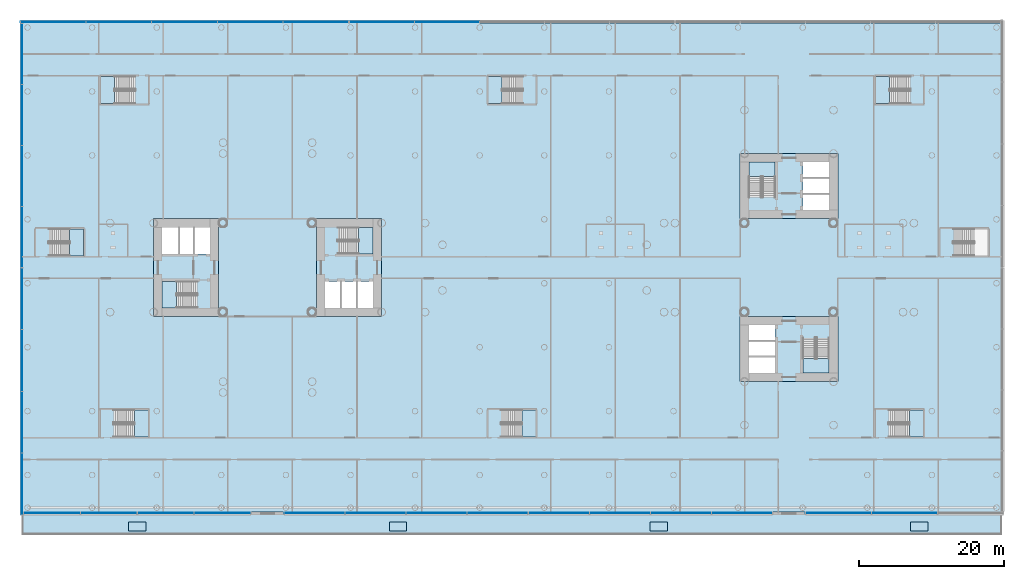
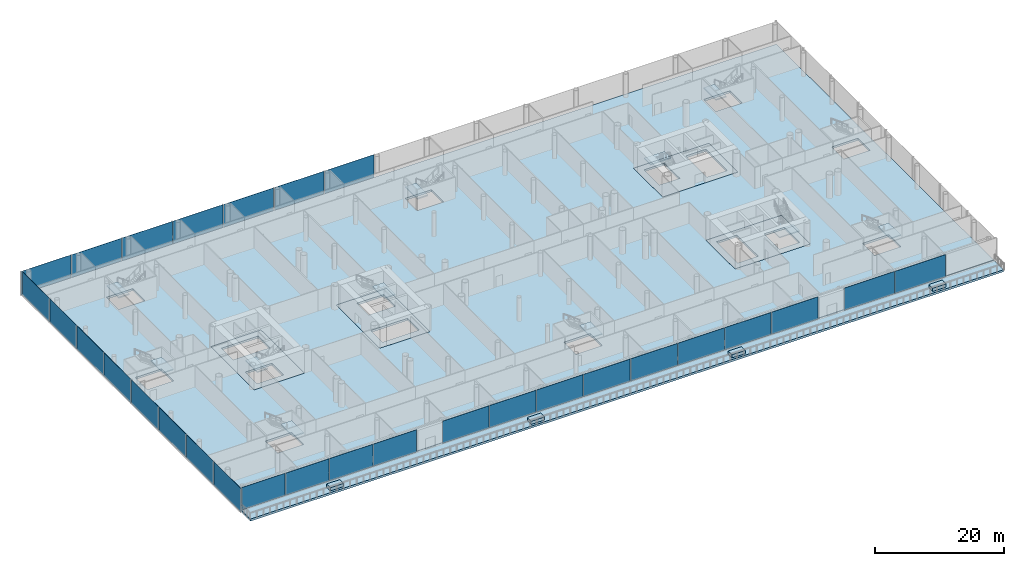
# One storey, part 15 of 51: 29 plates, 21 slabs, 19 elements without a shape of their own.
"""IFC4 building model written with IfcOpenShell, lengths in metres."""

import ifcopenshell
import ifcopenshell.guid

model = None  # the IFC model being written
_history = None  # IfcOwnerHistory: only IFC2X3 demands one
_inside = {}  # id of a spatial element -> (the spatial element, [elements in it])
_under = {}  # id of a project, library or spatial element -> (it, [spatial elements below it])
_declared = {}  # id of a project -> (the project, [libraries it declares])
_typed = {}  # id of a type object -> (the type object, [elements of that type])
_made_of = {}  # id of a material, layer set ... -> (it, [elements and type objects made of it])


def new_model(schema):
    """Start an empty IFC model of exactly this schema.

    Asked for "IFC4X3", IfcOpenShell would pick the latest addendum, in which some entities
    have other attributes; the version numbers below select the first issue.
    IFC2X3 requires an IfcOwnerHistory on every rooted entity: one is made here for all.
    """
    global model, _history
    if schema == "IFC4X3":
        model = ifcopenshell.file(schema_version=(4, 3, 0, 0))
    else:
        model = ifcopenshell.file(schema=schema)
    _inside.clear()
    _under.clear()
    _declared.clear()
    _typed.clear()
    _made_of.clear()
    _history = None
    if model.schema == "IFC2X3":
        org = make("IfcOrganization", Name="unknown")
        user = make(
            "IfcPersonAndOrganization",
            ThePerson=make("IfcPerson", FamilyName="unknown"),
            TheOrganization=org,
        )
        app = make(
            "IfcApplication",
            ApplicationDeveloper=org,
            Version="unknown",
            ApplicationFullName="unknown",
            ApplicationIdentifier="unknown",
        )
        _history = make(
            "IfcOwnerHistory",
            OwningUser=user,
            OwningApplication=app,
            ChangeAction="ADDED",
            CreationDate=0,
        )
    return model


def make(cls, **values):
    """One entity of the class cls with the attributes given. An attribute that is None is left unset."""
    return model.create_entity(
        cls, **{name: value for name, value in values.items() if value is not None}
    )


def rooted(cls, **values):
    """An entity with a GlobalId (a new one), such as an element, a storey or a relation."""
    return make(cls, GlobalId=ifcopenshell.guid.new(), OwnerHistory=_history, **values)


def si_unit(unit_type, name, prefix=None):
    """IfcSIUnit, for example si_unit("LENGTHUNIT", "METRE", prefix="MILLI")."""
    return make("IfcSIUnit", UnitType=unit_type, Prefix=prefix, Name=name)


def assignment(units):
    """IfcUnitAssignment: the units of a project."""
    return None if units is None else make("IfcUnitAssignment", Units=units)


def point(xyz):
    """IfcCartesianPoint."""
    return None if xyz is None else make("IfcCartesianPoint", Coordinates=xyz)


def direction(xyz):
    """IfcDirection."""
    return None if xyz is None else make("IfcDirection", DirectionRatios=xyz)


def frame(location, z_axis=None, x_axis=None):
    """IfcAxis2Placement3D, a coordinate frame: its origin and axes. An axis left out is left unset."""
    return make(
        "IfcAxis2Placement3D",
        Location=point(location),
        Axis=direction(z_axis),
        RefDirection=direction(x_axis),
    )


def frame_2d(location, x_axis=None):
    """IfcAxis2Placement2D, a coordinate frame in the plane: its origin and x axis."""
    return make(
        "IfcAxis2Placement2D", Location=point(location), RefDirection=direction(x_axis)
    )


def origin():
    """The frame at (0, 0, 0) with its axes left unset."""
    return frame((0.0, 0.0, 0.0))


def origin_2d():
    """The frame at (0, 0) in the plane with its x axis left unset."""
    return frame_2d((0.0, 0.0))


def place(relative_to, where):
    """IfcLocalPlacement: puts the frame where relative to a parent placement (None: the world)."""
    return make(
        "IfcLocalPlacement", PlacementRelTo=relative_to, RelativePlacement=where
    )


def context(
    kind, dimensions, precision=None, world=None, true_north=None, identifier=None
):
    """IfcGeometricRepresentationContext, for example the 3D "Model" context."""
    return make(
        "IfcGeometricRepresentationContext",
        ContextIdentifier=identifier,
        ContextType=kind,
        CoordinateSpaceDimension=dimensions,
        Precision=precision,
        WorldCoordinateSystem=world,
        TrueNorth=true_north,
    )


def subcontext(parent, identifier, kind, view, scale=None):
    """IfcGeometricRepresentationSubContext, for example "Body" below "Model"."""
    return make(
        "IfcGeometricRepresentationSubContext",
        ContextIdentifier=identifier,
        ContextType=kind,
        ParentContext=parent,
        TargetScale=scale,
        TargetView=view,
    )


def project(units=None, contexts=None):
    """IfcProject with its units and contexts."""
    return rooted(
        "IfcProject",
        Name="project",
        RepresentationContexts=contexts,
        UnitsInContext=assignment(units),
    )


def spatial(cls, under=None, at=None, **own):
    """A site, building, storey or space (cls), placed at a placement, below another one or the project."""
    s = rooted(cls, ObjectPlacement=at, **own)
    if under is not None:
        _under.setdefault(under.id(), (under, []))[1].append(s)
    return s


def polyline(points):
    """IfcPolyline through the points."""
    return make("IfcPolyline", Points=[point(p) for p in points])


def profile(cls, at=None, kind="AREA", **sizes):
    """A parametric profile (cls). Its sizes go by their IFC names, for example OverallWidth=200.0."""
    return make(cls, ProfileType=kind, Position=at, **sizes)


def rectangle(**sizes):
    """IfcRectangleProfileDef."""
    return profile("IfcRectangleProfileDef", **sizes)


def outline(outer, holes=None, kind="AREA"):
    """IfcArbitraryClosedProfileDef: a profile drawn as a closed curve; with holes, ...WithVoids."""
    if holes is None:
        return make("IfcArbitraryClosedProfileDef", ProfileType=kind, OuterCurve=outer)
    return make(
        "IfcArbitraryProfileDefWithVoids",
        ProfileType=kind,
        OuterCurve=outer,
        InnerCurves=holes,
    )


def extrude(swept, where, along, depth):
    """IfcExtrudedAreaSolid: the profile swept, set in the frame where, extruded along a direction by depth."""
    return make(
        "IfcExtrudedAreaSolid",
        SweptArea=swept,
        Position=where,
        ExtrudedDirection=direction(along),
        Depth=depth,
    )


def shape(context_of_items, identifier, shape_type, items):
    """IfcShapeRepresentation: the items that make up one representation, for example the "Body"."""
    return make(
        "IfcShapeRepresentation",
        ContextOfItems=context_of_items,
        RepresentationIdentifier=identifier,
        RepresentationType=shape_type,
        Items=items,
    )


def material(Name=None, Category=None):
    """IfcMaterial."""
    return make("IfcMaterial", Name=Name, Category=Category)


def layer(
    of_material, thickness, ventilated=None, Name=None, Category=None, Priority=None
):
    """IfcMaterialLayer: one layer of a wall or slab, of a material (None: an air gap)."""
    return make(
        "IfcMaterialLayer",
        Material=of_material,
        LayerThickness=thickness,
        IsVentilated=ventilated,
        Name=Name,
        Category=Category,
        Priority=Priority,
    )


def layer_set(layers, Name=None):
    """IfcMaterialLayerSet."""
    return make("IfcMaterialLayerSet", MaterialLayers=layers, LayerSetName=Name)


def made_of(thing, what):
    """Note that an element or type object is made of a material, layer set ...; save() writes the relation."""
    if what is not None:
        _made_of.setdefault(what.id(), (what, []))[1].append(thing)
    return thing


def type_object(cls, material=None, **own):
    """A type object (cls), such as IfcWallType, which elements share."""
    return made_of(rooted(cls, **own), material)


def element(
    cls,
    number,
    at=None,
    inside=None,
    cuts=None,
    type_object=None,
    material=None,
    context=None,
    identifier="Body",
    shape_type=None,
    held_by="IfcProductDefinitionShape",
    body=None,
    shapes=None,
    **own,
):
    """One element of the class cls, such as IfcWall. Its Tag is "e" and its number.

    at: its placement. inside: the storey or other place that contains it. cuts: it is an
    opening in that element (IfcRelVoidsElement). A single representation is given by context,
    identifier, shape_type and body (its items); several are given by shapes. held_by: the class
    of the entity that holds the representations. save() writes the other relations.
    """
    e = rooted(cls, Tag="e%d" % number, ObjectPlacement=at, **own)
    if body is not None:
        shapes = [shape(context, identifier, shape_type, body)]
    if shapes is not None:
        e.Representation = make(held_by, Representations=shapes)
    if inside is not None:
        _inside.setdefault(inside.id(), (inside, []))[1].append(e)
    if cuts is not None:
        rooted(
            "IfcRelVoidsElement", RelatingBuildingElement=cuts, RelatedOpeningElement=e
        )
    if type_object is not None:
        _typed.setdefault(type_object.id(), (type_object, []))[1].append(e)
    return made_of(e, material)


def aggregate(whole, parts):
    """IfcRelAggregates: a whole, such as a stair, and the parts it consists of."""
    return rooted("IfcRelAggregates", RelatingObject=whole, RelatedObjects=parts)


def save(model, path):
    """Write the relations noted so far, then the file.

    IfcRelAggregates (storeys below a building ...), IfcRelContainedInSpatialStructure (elements
    in a storey), IfcRelDefinesByType, IfcRelAssociatesMaterial and IfcRelDeclares: one each for
    every whole, place, type object, material and project.
    """
    for whole, parts in _under.values():
        aggregate(whole, parts)
    for where, things in _inside.values():
        rooted(
            "IfcRelContainedInSpatialStructure",
            RelatedElements=things,
            RelatingStructure=where,
        )
    for kind, things in _typed.values():
        rooted("IfcRelDefinesByType", RelatedObjects=things, RelatingType=kind)
    for what, things in _made_of.values():
        rooted("IfcRelAssociatesMaterial", RelatedObjects=things, RelatingMaterial=what)
    for by, libraries in _declared.values():
        rooted("IfcRelDeclares", RelatingContext=by, RelatedDefinitions=libraries)
    model.write(path)


model = new_model("IFC4")

# Units and contexts
model_context = context("Model", 3, precision=1e-05, world=origin(), true_north=direction((0.0, 1.0)))
body_context = subcontext(model_context, "Body", "Model", "MODEL_VIEW")
ifc_project = project(units=[si_unit("LENGTHUNIT", "METRE"), si_unit("AREAUNIT", "SQUARE_METRE"), si_unit("VOLUMEUNIT", "CUBIC_METRE"), si_unit("PLANEANGLEUNIT", "RADIAN"), si_unit("MASSUNIT", "GRAM", prefix="KILO")], contexts=[model_context])

# Site, building, storey
site_placement = place(None, origin())
site = spatial("IfcSite", under=ifc_project, at=site_placement, CompositionType="ELEMENT")
building_placement = place(site_placement, origin())
building = spatial("IfcBuilding", under=site, at=building_placement, Name="Ipe Terrace Towers", CompositionType="ELEMENT")
storey_placement = place(building_placement, frame((0.0, 0.0, 15.5)))
storey = spatial("IfcBuildingStorey", under=building, at=storey_placement, Name="L03", CompositionType="ELEMENT", Elevation=15.5)

# Slabs
ifc_material_1 = material(Name="Concrete C30/37", Category="concrete")
ifc_layer_1 = layer(ifc_material_1, 0.39990234375)
ifc_layer_set_1 = layer_set([ifc_layer_1], Name="CORE FLOOR SLAB 400 C30-37")
slab_type_1 = type_object("IfcSlabType", Name="CORE FLOOR SLAB 400 C30-37", PredefinedType="FLOOR", material=ifc_layer_set_1)
slab_1_placement = place(storey_placement, frame((0.0, 0.0, -0.39990234375)))
element("IfcSlab", 1, at=slab_1_placement, inside=storey, type_object=slab_type_1, Name="Core floor T1-C1", PredefinedType="FLOOR", context=body_context, shape_type="SweptSolid", body=[
    extrude(outline(polyline([(-29.25, -6.75), (-29.25, 6.75), (-20.25, 6.75), (-20.25, -6.75), (-29.25, -6.75)]), holes=[polyline([(-28.050048828125, -5.550048828125), (-21.449951171875, -5.550048828125), (-21.449951171875, -1.89990234375), (-28.050048828125, -1.89990234375), (-28.050048828125, -5.550048828125)]), polyline([(-26.199951171875, 5.550048828125), (-26.199951171875, 1.89990234375), (-21.449951171875, 1.89990234375), (-21.449951171875, 5.550048828125), (-26.199951171875, 5.550048828125)])]), origin(), (0.0, 0.0, 1.0), 0.39990234375),
])
slab_2_placement = place(storey_placement, frame((0.0, 0.0, -0.39990234375)))
element("IfcSlab", 2, at=slab_2_placement, inside=storey, type_object=slab_type_1, Name="Core floor T1-C2", PredefinedType="FLOOR", context=body_context, shape_type="SweptSolid", body=[
    extrude(outline(polyline([(-51.75, -6.75), (-51.75, 6.75), (-42.75, 6.75), (-42.75, -6.75), (-51.75, -6.75)]), holes=[polyline([(-45.800048828125, -5.550048828125), (-45.800048828125, -1.89990234375), (-50.550048828125, -1.89990234375), (-50.550048828125, -5.550048828125), (-45.800048828125, -5.550048828125)]), polyline([(-50.550048828125, 1.89990234375), (-43.949951171875, 1.89990234375), (-43.949951171875, 5.550048828125), (-50.550048828125, 5.550048828125), (-50.550048828125, 1.89990234375)])]), origin(), (0.0, 0.0, 1.0), 0.39990234375),
])
slab_3_placement = place(storey_placement, frame((0.0, 0.0, -0.39990234375)))
element("IfcSlab", 3, at=slab_3_placement, inside=storey, type_object=slab_type_1, Name="Core floor T2-C1", PredefinedType="FLOOR", context=body_context, shape_type="SweptSolid", body=[
    extrude(outline(polyline([(29.25, 6.75), (29.25, 15.75), (42.75, 15.75), (42.75, 6.75), (29.25, 6.75)]), holes=[polyline([(41.550048828125, 7.949951171875), (41.550048828125, 14.550048828125), (37.89990234375, 14.550048828125), (37.89990234375, 7.949951171875), (41.550048828125, 7.949951171875)]), polyline([(30.449951171875, 9.800048828125), (34.10009765625, 9.800048828125), (34.10009765625, 14.550048828125), (30.449951171875, 14.550048828125), (30.449951171875, 9.800048828125)])]), origin(), (0.0, 0.0, 1.0), 0.39990234375),
])
slab_4_placement = place(storey_placement, frame((0.0, 0.0, -0.39990234375)))
element("IfcSlab", 4, at=slab_4_placement, inside=storey, type_object=slab_type_1, Name="Core floor T2-C2", PredefinedType="FLOOR", context=body_context, shape_type="SweptSolid", body=[
    extrude(outline(polyline([(29.25, -15.75), (29.25, -6.75), (42.75, -6.75), (42.75, -15.75), (29.25, -15.75)]), holes=[polyline([(34.10009765625, -14.550048828125), (34.10009765625, -7.949951171875), (30.449951171875, -7.949951171875), (30.449951171875, -14.550048828125), (34.10009765625, -14.550048828125)]), polyline([(41.550048828125, -9.800048828125), (37.89990234375, -9.800048828125), (37.89990234375, -14.550048828125), (41.550048828125, -14.550048828125), (41.550048828125, -9.800048828125)])]), origin(), (0.0, 0.0, 1.0), 0.39990234375),
])

# Stair, slab
ifc_material_2 = material(Name="Concrete C30/37", Category="concrete")
stair_type = type_object("IfcStairType", Name="Protected exit stair", PredefinedType="HALF_TURN_STAIR", material=ifc_material_2)
stair_1_placement = place(storey_placement, origin())
stair_1 = element("IfcStair", 5, at=stair_1_placement, inside=storey, type_object=stair_type, Name="L03 Exit stair T1-C1", PredefinedType="HALF_TURN_STAIR")
ifc_material_3 = material(Name="Concrete C30/37", Category="concrete")
ifc_layer_2 = layer(ifc_material_3, 0.199951171875)
ifc_layer_set_2 = layer_set([ifc_layer_2], Name="Exit stair landing 200")
slab_type_2 = type_object("IfcSlabType", Name="Exit stair landing 200", PredefinedType="LANDING", material=ifc_layer_set_2)
slab_5_placement = place(storey_placement, frame((0.0, 0.0, 2.050048828125)))
slab_5 = element("IfcSlab", 6, at=slab_5_placement, type_object=slab_type_2, Name="T1-ST1 landing 1", PredefinedType="LANDING", context=body_context, shape_type="SweptSolid", body=[
    extrude(outline(polyline([(-23.43994140625, 1.89990234375), (-21.449951171875, 1.89990234375), (-21.449951171875, 5.550048828125), (-23.43994140625, 5.550048828125), (-23.43994140625, 1.89990234375)])), origin(), (0.0, 0.0, 1.0), 0.199951171875),
])
aggregate(stair_1, [slab_5])

stair_2_placement = place(storey_placement, origin())
stair_2 = element("IfcStair", 7, at=stair_2_placement, inside=storey, type_object=stair_type, Name="L03 Exit stair T1-C2", PredefinedType="HALF_TURN_STAIR")
slab_6_placement = place(storey_placement, frame((0.0, 0.0, 2.050048828125)))
slab_6 = element("IfcSlab", 8, at=slab_6_placement, type_object=slab_type_2, Name="T1-ST2 landing 1", PredefinedType="LANDING", context=body_context, shape_type="SweptSolid", body=[
    extrude(outline(polyline([(-48.56005859375, -1.89990234375), (-50.550048828125, -1.89990234375), (-50.550048828125, -5.550048828125), (-48.56005859375, -5.550048828125), (-48.56005859375, -1.89990234375)])), origin(), (0.0, 0.0, 1.0), 0.199951171875),
])
aggregate(stair_2, [slab_6])

stair_3_placement = place(storey_placement, origin())
stair_3 = element("IfcStair", 9, at=stair_3_placement, inside=storey, type_object=stair_type, Name="L03 Exit stair T2-C1", PredefinedType="HALF_TURN_STAIR")
slab_7_placement = place(storey_placement, frame((0.0, 0.0, 2.050048828125)))
slab_7 = element("IfcSlab", 10, at=slab_7_placement, type_object=slab_type_2, Name="T2-ST1 landing 1", PredefinedType="LANDING", context=body_context, shape_type="SweptSolid", body=[
    extrude(outline(polyline([(34.10009765625, 12.56005859375), (34.10009765625, 14.550048828125), (30.449951171875, 14.550048828125), (30.449951171875, 12.56005859375), (34.10009765625, 12.56005859375)])), origin(), (0.0, 0.0, 1.0), 0.199951171875),
])
aggregate(stair_3, [slab_7])

stair_4_placement = place(storey_placement, origin())
stair_4 = element("IfcStair", 11, at=stair_4_placement, inside=storey, type_object=stair_type, Name="L03 Exit stair T2-C2", PredefinedType="HALF_TURN_STAIR")
slab_8_placement = place(storey_placement, frame((0.0, 0.0, 2.050048828125)))
slab_8 = element("IfcSlab", 12, at=slab_8_placement, type_object=slab_type_2, Name="T2-ST2 landing 1", PredefinedType="LANDING", context=body_context, shape_type="SweptSolid", body=[
    extrude(outline(polyline([(37.89990234375, -12.56005859375), (37.89990234375, -14.550048828125), (41.550048828125, -14.550048828125), (41.550048828125, -12.56005859375), (37.89990234375, -12.56005859375)])), origin(), (0.0, 0.0, 1.0), 0.199951171875),
])
aggregate(stair_4, [slab_8])

stair_5_placement = place(storey_placement, origin())
stair_5 = element("IfcStair", 13, at=stair_5_placement, inside=storey, type_object=stair_type, Name="L03 Podium exit stair PS1", PredefinedType="HALF_TURN_STAIR")
slab_9_placement = place(storey_placement, frame((0.0, 0.0, 2.050048828125)))
slab_9 = element("IfcSlab", 14, at=slab_9_placement, type_object=slab_type_2, Name="PS1 landing 1", PredefinedType="LANDING", context=body_context, shape_type="SweptSolid", body=[
    extrude(outline(polyline([(-57.1298828125, 26.39990234375), (-59.070068359375, 26.39990234375), (-59.070068359375, 22.64990234375), (-57.1298828125, 22.64990234375), (-57.1298828125, 26.39990234375)])), origin(), (0.0, 0.0, 1.0), 0.199951171875),
])
aggregate(stair_5, [slab_9])

stair_6_placement = place(storey_placement, origin())
stair_6 = element("IfcStair", 15, at=stair_6_placement, inside=storey, type_object=stair_type, Name="L03 Podium exit stair PS2", PredefinedType="HALF_TURN_STAIR")
slab_10_placement = place(storey_placement, frame((0.0, 0.0, 2.050048828125)))
slab_10 = element("IfcSlab", 16, at=slab_10_placement, type_object=slab_type_2, Name="PS2 landing 1", PredefinedType="LANDING", context=body_context, shape_type="SweptSolid", body=[
    extrude(outline(polyline([(-3.610107421875, 26.39990234375), (-5.550048828125, 26.39990234375), (-5.550048828125, 22.64990234375), (-3.610107421875, 22.64990234375), (-3.610107421875, 26.39990234375)])), origin(), (0.0, 0.0, 1.0), 0.199951171875),
])
aggregate(stair_6, [slab_10])

stair_7_placement = place(storey_placement, origin())
stair_7 = element("IfcStair", 17, at=stair_7_placement, inside=storey, type_object=stair_type, Name="L03 Podium exit stair PS3", PredefinedType="HALF_TURN_STAIR")
slab_11_placement = place(storey_placement, frame((0.0, 0.0, 2.050048828125)))
slab_11 = element("IfcSlab", 18, at=slab_11_placement, type_object=slab_type_2, Name="PS3 landing 1", PredefinedType="LANDING", context=body_context, shape_type="SweptSolid", body=[
    extrude(outline(polyline([(49.909912109375, 26.39990234375), (47.969970703125, 26.39990234375), (47.969970703125, 22.64990234375), (49.909912109375, 22.64990234375), (49.909912109375, 26.39990234375)])), origin(), (0.0, 0.0, 1.0), 0.199951171875),
])
aggregate(stair_7, [slab_11])

stair_8_placement = place(storey_placement, origin())
stair_8 = element("IfcStair", 19, at=stair_8_placement, inside=storey, type_object=stair_type, Name="L03 Podium exit stair PS4", PredefinedType="HALF_TURN_STAIR")
slab_12_placement = place(storey_placement, frame((0.0, 0.0, 2.050048828125)))
slab_12 = element("IfcSlab", 20, at=slab_12_placement, type_object=slab_type_2, Name="PS4 landing 1", PredefinedType="LANDING", context=body_context, shape_type="SweptSolid", body=[
    extrude(outline(polyline([(-54.409912109375, -23.39990234375), (-52.469970703125, -23.39990234375), (-52.469970703125, -19.64990234375), (-54.409912109375, -19.64990234375), (-54.409912109375, -23.39990234375)])), origin(), (0.0, 0.0, 1.0), 0.199951171875),
])
aggregate(stair_8, [slab_12])

stair_9_placement = place(storey_placement, origin())
stair_9 = element("IfcStair", 21, at=stair_9_placement, inside=storey, type_object=stair_type, Name="L03 Podium exit stair PS5", PredefinedType="HALF_TURN_STAIR")
slab_13_placement = place(storey_placement, frame((0.0, 0.0, 2.050048828125)))
slab_13 = element("IfcSlab", 22, at=slab_13_placement, type_object=slab_type_2, Name="PS5 landing 1", PredefinedType="LANDING", context=body_context, shape_type="SweptSolid", body=[
    extrude(outline(polyline([(-0.889892578125, -23.39990234375), (1.050048828125, -23.39990234375), (1.050048828125, -19.64990234375), (-0.889892578125, -19.64990234375), (-0.889892578125, -23.39990234375)])), origin(), (0.0, 0.0, 1.0), 0.199951171875),
])
aggregate(stair_9, [slab_13])

stair_10_placement = place(storey_placement, origin())
stair_10 = element("IfcStair", 23, at=stair_10_placement, inside=storey, type_object=stair_type, Name="L03 Podium exit stair PS6", PredefinedType="HALF_TURN_STAIR")
slab_14_placement = place(storey_placement, frame((0.0, 0.0, 2.050048828125)))
slab_14 = element("IfcSlab", 24, at=slab_14_placement, type_object=slab_type_2, Name="PS6 landing 1", PredefinedType="LANDING", context=body_context, shape_type="SweptSolid", body=[
    extrude(outline(polyline([(52.6298828125, -23.39990234375), (54.570068359375, -23.39990234375), (54.570068359375, -19.64990234375), (52.6298828125, -19.64990234375), (52.6298828125, -23.39990234375)])), origin(), (0.0, 0.0, 1.0), 0.199951171875),
])
aggregate(stair_10, [slab_14])

stair_11_placement = place(storey_placement, origin())
stair_11 = element("IfcStair", 25, at=stair_11_placement, inside=storey, type_object=stair_type, Name="L03 Podium exit stair PS7", PredefinedType="HALF_TURN_STAIR")
slab_15_placement = place(storey_placement, frame((0.0, 0.0, 2.050048828125)))
slab_15 = element("IfcSlab", 26, at=slab_15_placement, type_object=slab_type_2, Name="PS7 landing 1", PredefinedType="LANDING", context=body_context, shape_type="SweptSolid", body=[
    extrude(outline(polyline([(-63.330078125, 1.60009765625), (-61.389892578125, 1.60009765625), (-61.389892578125, 5.35009765625), (-63.330078125, 5.35009765625), (-63.330078125, 1.60009765625)])), origin(), (0.0, 0.0, 1.0), 0.199951171875),
])
aggregate(stair_11, [slab_15])

# Slab
ifc_material_4 = material(Name="Concrete C40/50", Category="concrete")
ifc_layer_3 = layer(ifc_material_4, 0.39990234375)
ifc_layer_set_3 = layer_set([ifc_layer_3], Name="PODIUM FLOOR SLAB 400 C40-50")
slab_type_3 = type_object("IfcSlabType", Name="PODIUM FLOOR SLAB 400 C40-50", PredefinedType="FLOOR", material=ifc_layer_set_3)
slab_16_placement = place(storey_placement, frame((0.0, 0.0, -0.39990234375)))
element("IfcSlab", 27, at=slab_16_placement, inside=storey, type_object=slab_type_3, Name="Slab PD-FS-L03", PredefinedType="FLOOR", context=body_context, shape_type="SweptSolid", body=[
    extrude(outline(polyline([(-69.75, -33.75), (-69.75, 33.75), (65.25, 33.75), (65.25, -33.75), (-69.75, -33.75)]), holes=[polyline([(-20.25, -6.75), (-20.25, 6.75), (-29.25, 6.75), (-29.25, -6.75), (-20.25, -6.75)]), polyline([(-51.75, -6.75), (-42.75, -6.75), (-42.75, 6.75), (-51.75, 6.75), (-51.75, -6.75)]), polyline([(29.25, 15.75), (29.25, 6.75), (42.75, 6.75), (42.75, 15.75), (29.25, 15.75)]), polyline([(42.75, -6.75), (29.25, -6.75), (29.25, -15.75), (42.75, -15.75), (42.75, -6.75)]), polyline([(-52.469970703125, -19.64990234375), (-57.169921875, -19.64990234375), (-57.169921875, -23.39990234375), (-52.469970703125, -23.39990234375), (-52.469970703125, -19.64990234375)]), polyline([(1.050048828125, -19.64990234375), (-3.64990234375, -19.64990234375), (-3.64990234375, -23.39990234375), (1.050048828125, -23.39990234375), (1.050048828125, -19.64990234375)]), polyline([(54.570068359375, -19.64990234375), (49.8701171875, -19.64990234375), (49.8701171875, -23.39990234375), (54.570068359375, -23.39990234375), (54.570068359375, -19.64990234375)]), polyline([(-61.389892578125, 5.35009765625), (-66.090087890625, 5.35009765625), (-66.090087890625, 1.60009765625), (-61.389892578125, 1.60009765625), (-61.389892578125, 5.35009765625)]), polyline([(63.489990234375, 5.35009765625), (58.7900390625, 5.35009765625), (58.7900390625, 1.60009765625), (63.489990234375, 1.60009765625), (63.489990234375, 5.35009765625)]), polyline([(-59.070068359375, 22.64990234375), (-54.3701171875, 22.64990234375), (-54.3701171875, 26.39990234375), (-59.070068359375, 26.39990234375), (-59.070068359375, 22.64990234375)]), polyline([(-5.550048828125, 22.64990234375), (-0.85009765625, 22.64990234375), (-0.85009765625, 26.39990234375), (-5.550048828125, 26.39990234375), (-5.550048828125, 22.64990234375)]), polyline([(47.969970703125, 22.64990234375), (52.669921875, 22.64990234375), (52.669921875, 26.39990234375), (47.969970703125, 26.39990234375), (47.969970703125, 22.64990234375)])]), origin(), (0.0, 0.0, 1.0), 0.39990234375),
])

# Curtain wall, plates
ifc_material_5 = material(Name="Aluminium alloy 6063-T6", Category="aluminium")
ifc_layer_4 = layer(ifc_material_5, 0.43994140625)
ifc_layer_set_4 = layer_set([ifc_layer_4], Name="PODIUM GLAZING CURTAIN WALL")
curtain_wall_type = type_object("IfcCurtainWallType", Name="PODIUM GLAZING CURTAIN WALL", PredefinedType="NOTDEFINED", material=ifc_layer_set_4)
curtain_wall_1_placement = place(storey_placement, origin())
curtain_wall_1 = element("IfcCurtainWall", 28, at=curtain_wall_1_placement, inside=storey, type_object=curtain_wall_type, Name="POD-CW-L03-01b curtain wall", PredefinedType="NOTDEFINED")
ifc_material_6 = material(Name="Glass, clear laminated", Category="glass")
ifc_layer_5 = layer(ifc_material_6, 0.035888671875)
ifc_layer_set_5 = layer_set([ifc_layer_5], Name="PODIUM GLAZING GLASS PANEL 36")
plate_type = type_object("IfcPlateType", Name="PODIUM GLAZING GLASS PANEL 36", PredefinedType="CURTAIN_PANEL", material=ifc_layer_set_5)
plate_1_placement = place(storey_placement, frame((-11.23388671875, 33.89990234375, -0.300048828125), z_axis=(0.0, 0.0, 1.0), x_axis=(-1.0, 0.0, 0.0)))
plate_1 = element("IfcPlate", 29, at=plate_1_placement, type_object=plate_type, Name="POD-CW-L03-01b panel 4", PredefinedType="CURTAIN_PANEL", context=body_context, shape_type="SweptSolid", body=[
    extrude(rectangle(XDim=8.904052734375, YDim=0.035888671875, at=origin_2d()), origin(), (0.0, 0.0, 1.0), 4.5),
])
plate_2_placement = place(storey_placement, frame((-20.218017578125, 33.89990234375, -0.300048828125), z_axis=(0.0, 0.0, 1.0), x_axis=(-1.0, 0.0, 0.0)))
plate_2 = element("IfcPlate", 30, at=plate_2_placement, type_object=plate_type, Name="POD-CW-L03-01b panel 5", PredefinedType="CURTAIN_PANEL", context=body_context, shape_type="SweptSolid", body=[
    extrude(rectangle(XDim=8.904052734375, YDim=0.035888671875, at=origin_2d()), origin(), (0.0, 0.0, 1.0), 4.5),
])
aggregate(curtain_wall_1, [plate_1, plate_2])

curtain_wall_2_placement = place(storey_placement, origin())
curtain_wall_2 = element("IfcCurtainWall", 31, at=curtain_wall_2_placement, inside=storey, type_object=curtain_wall_type, Name="POD-CW-L03-01c curtain wall", PredefinedType="NOTDEFINED")
plate_3_placement = place(storey_placement, frame((-29.325927734375, 33.89990234375, -0.300048828125), z_axis=(0.0, 0.0, 1.0), x_axis=(-1.0, 0.0, 0.0)))
plate_3 = element("IfcPlate", 32, at=plate_3_placement, type_object=plate_type, Name="POD-CW-L03-01c panel 1", PredefinedType="CURTAIN_PANEL", context=body_context, shape_type="SweptSolid", body=[
    extrude(rectangle(XDim=8.991943359375, YDim=0.035888671875, at=origin_2d()), origin(), (0.0, 0.0, 1.0), 4.5),
])
plate_4_placement = place(storey_placement, frame((-38.39794921875, 33.89990234375, -0.300048828125), z_axis=(0.0, 0.0, 1.0), x_axis=(-1.0, 0.0, 0.0)))
plate_4 = element("IfcPlate", 33, at=plate_4_placement, type_object=plate_type, Name="POD-CW-L03-01c panel 2", PredefinedType="CURTAIN_PANEL", context=body_context, shape_type="SweptSolid", body=[
    extrude(rectangle(XDim=8.991943359375, YDim=0.035888671875, at=origin_2d()), origin(), (0.0, 0.0, 1.0), 4.5),
])
plate_5_placement = place(storey_placement, frame((-47.469970703125, 33.89990234375, -0.300048828125), z_axis=(0.0, 0.0, 1.0), x_axis=(-1.0, 0.0, 0.0)))
plate_5 = element("IfcPlate", 34, at=plate_5_placement, type_object=plate_type, Name="POD-CW-L03-01c panel 3", PredefinedType="CURTAIN_PANEL", context=body_context, shape_type="SweptSolid", body=[
    extrude(rectangle(XDim=8.991943359375, YDim=0.035888671875, at=origin_2d()), origin(), (0.0, 0.0, 1.0), 4.5),
])
plate_6_placement = place(storey_placement, frame((-56.5419921875, 33.89990234375, -0.300048828125), z_axis=(0.0, 0.0, 1.0), x_axis=(-1.0, 0.0, 0.0)))
plate_6 = element("IfcPlate", 35, at=plate_6_placement, type_object=plate_type, Name="POD-CW-L03-01c panel 4", PredefinedType="CURTAIN_PANEL", context=body_context, shape_type="SweptSolid", body=[
    extrude(rectangle(XDim=8.991943359375, YDim=0.035888671875, at=origin_2d()), origin(), (0.0, 0.0, 1.0), 4.5),
])
plate_7_placement = place(storey_placement, frame((-65.614013671875, 33.89990234375, -0.300048828125), z_axis=(0.0, 0.0, 1.0), x_axis=(-1.0, 0.0, 0.0)))
plate_7 = element("IfcPlate", 36, at=plate_7_placement, type_object=plate_type, Name="POD-CW-L03-01c panel 5", PredefinedType="CURTAIN_PANEL", context=body_context, shape_type="SweptSolid", body=[
    extrude(rectangle(XDim=8.991943359375, YDim=0.035888671875, at=origin_2d()), origin(), (0.0, 0.0, 1.0), 4.5),
])
aggregate(curtain_wall_2, [plate_3, plate_4, plate_5, plate_6, plate_7])

curtain_wall_3_placement = place(storey_placement, origin())
curtain_wall_3 = element("IfcCurtainWall", 37, at=curtain_wall_3_placement, inside=storey, type_object=curtain_wall_type, Name="POD-CW-L03-02a curtain wall", PredefinedType="NOTDEFINED")
plate_8_placement = place(storey_placement, frame((-69.89990234375, 29.501220703125, -0.300048828125), z_axis=(0.0, 0.0, 1.0), x_axis=(0.0, -1.0, 0.0)))
plate_8 = element("IfcPlate", 38, at=plate_8_placement, type_object=plate_type, Name="POD-CW-L03-02a panel 1", PredefinedType="CURTAIN_PANEL", context=body_context, shape_type="SweptSolid", body=[
    extrude(rectangle(XDim=8.33740234375, YDim=0.035888671875, at=origin_2d()), origin(), (0.0, 0.0, 1.0), 4.5),
])
plate_9_placement = place(storey_placement, frame((-69.89990234375, 21.083740234375, -0.300048828125), z_axis=(0.0, 0.0, 1.0), x_axis=(0.0, -1.0, 0.0)))
plate_9 = element("IfcPlate", 39, at=plate_9_placement, type_object=plate_type, Name="POD-CW-L03-02a panel 2", PredefinedType="CURTAIN_PANEL", context=body_context, shape_type="SweptSolid", body=[
    extrude(rectangle(XDim=8.33740234375, YDim=0.035888671875, at=origin_2d()), origin(), (0.0, 0.0, 1.0), 4.5),
])
plate_10_placement = place(storey_placement, frame((-69.89990234375, 12.666259765625, -0.300048828125), z_axis=(0.0, 0.0, 1.0), x_axis=(0.0, -1.0, 0.0)))
plate_10 = element("IfcPlate", 40, at=plate_10_placement, type_object=plate_type, Name="POD-CW-L03-02a panel 3", PredefinedType="CURTAIN_PANEL", context=body_context, shape_type="SweptSolid", body=[
    extrude(rectangle(XDim=8.33740234375, YDim=0.035888671875, at=origin_2d()), origin(), (0.0, 0.0, 1.0), 4.5),
])
plate_11_placement = place(storey_placement, frame((-69.89990234375, 4.248779296875, -0.300048828125), z_axis=(0.0, 0.0, 1.0), x_axis=(0.0, -1.0, 0.0)))
plate_11 = element("IfcPlate", 41, at=plate_11_placement, type_object=plate_type, Name="POD-CW-L03-02a panel 4", PredefinedType="CURTAIN_PANEL", context=body_context, shape_type="SweptSolid", body=[
    extrude(rectangle(XDim=8.33740234375, YDim=0.035888671875, at=origin_2d()), origin(), (0.0, 0.0, 1.0), 4.5),
])
aggregate(curtain_wall_3, [plate_8, plate_9, plate_10, plate_11])

curtain_wall_4_placement = place(storey_placement, origin())
curtain_wall_4 = element("IfcCurtainWall", 42, at=curtain_wall_4_placement, inside=storey, type_object=curtain_wall_type, Name="POD-CW-L03-02b curtain wall", PredefinedType="NOTDEFINED")
plate_12_placement = place(storey_placement, frame((-69.89990234375, -4.3037109375, -0.300048828125), z_axis=(0.0, 0.0, 1.0), x_axis=(0.0, -1.0, 0.0)))
plate_12 = element("IfcPlate", 43, at=plate_12_placement, type_object=plate_type, Name="POD-CW-L03-02b panel 1", PredefinedType="CURTAIN_PANEL", context=body_context, shape_type="SweptSolid", body=[
    extrude(rectangle(XDim=8.447509765625, YDim=0.035888671875, at=origin_2d()), origin(), (0.0, 0.0, 1.0), 4.5),
])
plate_13_placement = place(storey_placement, frame((-69.89990234375, -12.831298828125, -0.300048828125), z_axis=(0.0, 0.0, 1.0), x_axis=(0.0, -1.0, 0.0)))
plate_13 = element("IfcPlate", 44, at=plate_13_placement, type_object=plate_type, Name="POD-CW-L03-02b panel 2", PredefinedType="CURTAIN_PANEL", context=body_context, shape_type="SweptSolid", body=[
    extrude(rectangle(XDim=8.447509765625, YDim=0.035888671875, at=origin_2d()), origin(), (0.0, 0.0, 1.0), 4.5),
])
plate_14_placement = place(storey_placement, frame((-69.89990234375, -21.358642578125, -0.300048828125), z_axis=(0.0, 0.0, 1.0), x_axis=(0.0, -1.0, 0.0)))
plate_14 = element("IfcPlate", 45, at=plate_14_placement, type_object=plate_type, Name="POD-CW-L03-02b panel 3", PredefinedType="CURTAIN_PANEL", context=body_context, shape_type="SweptSolid", body=[
    extrude(rectangle(XDim=8.447509765625, YDim=0.035888671875, at=origin_2d()), origin(), (0.0, 0.0, 1.0), 4.5),
])
plate_15_placement = place(storey_placement, frame((-69.89990234375, -29.88623046875, -0.300048828125), z_axis=(0.0, 0.0, 1.0), x_axis=(0.0, -1.0, 0.0)))
plate_15 = element("IfcPlate", 46, at=plate_15_placement, type_object=plate_type, Name="POD-CW-L03-02b panel 4", PredefinedType="CURTAIN_PANEL", context=body_context, shape_type="SweptSolid", body=[
    extrude(rectangle(XDim=8.447509765625, YDim=0.035888671875, at=origin_2d()), origin(), (0.0, 0.0, 1.0), 4.5),
])
aggregate(curtain_wall_4, [plate_12, plate_13, plate_14, plate_15])

curtain_wall_5_placement = place(storey_placement, origin())
curtain_wall_5 = element("IfcCurtainWall", 47, at=curtain_wall_5_placement, inside=storey, type_object=curtain_wall_type, Name="POD-CW-L03-03a curtain wall", PredefinedType="NOTDEFINED")
plate_16_placement = place(storey_placement, frame((-65.782470703125, -33.89990234375, -0.02001953125), z_axis=(0.0, 0.0, 1.0), x_axis=(1.0, 0.0, 0.0)))
plate_16 = element("IfcPlate", 48, at=plate_16_placement, type_object=plate_type, Name="POD-CW-L03-03a panel 1", PredefinedType="CURTAIN_PANEL", context=body_context, shape_type="SweptSolid", body=[
    extrude(rectangle(XDim=7.77490234375, YDim=0.035888671875, at=origin_2d()), origin(), (0.0, 0.0, 1.0), 4.219970703125),
])
plate_17_placement = place(storey_placement, frame((-57.927490234375, -33.89990234375, -0.02001953125), z_axis=(0.0, 0.0, 1.0), x_axis=(1.0, 0.0, 0.0)))
plate_17 = element("IfcPlate", 49, at=plate_17_placement, type_object=plate_type, Name="POD-CW-L03-03a panel 2", PredefinedType="CURTAIN_PANEL", context=body_context, shape_type="SweptSolid", body=[
    extrude(rectangle(XDim=7.77490234375, YDim=0.035888671875, at=origin_2d()), origin(), (0.0, 0.0, 1.0), 4.219970703125),
])
plate_18_placement = place(storey_placement, frame((-50.072509765625, -33.89990234375, -0.02001953125), z_axis=(0.0, 0.0, 1.0), x_axis=(1.0, 0.0, 0.0)))
plate_18 = element("IfcPlate", 50, at=plate_18_placement, type_object=plate_type, Name="POD-CW-L03-03a panel 3", PredefinedType="CURTAIN_PANEL", context=body_context, shape_type="SweptSolid", body=[
    extrude(rectangle(XDim=7.77490234375, YDim=0.035888671875, at=origin_2d()), origin(), (0.0, 0.0, 1.0), 4.219970703125),
])
plate_19_placement = place(storey_placement, frame((-42.217529296875, -33.89990234375, -0.02001953125), z_axis=(0.0, 0.0, 1.0), x_axis=(1.0, 0.0, 0.0)))
plate_19 = element("IfcPlate", 51, at=plate_19_placement, type_object=plate_type, Name="POD-CW-L03-03a panel 4", PredefinedType="CURTAIN_PANEL", context=body_context, shape_type="SweptSolid", body=[
    extrude(rectangle(XDim=7.77490234375, YDim=0.035888671875, at=origin_2d()), origin(), (0.0, 0.0, 1.0), 4.219970703125),
])
aggregate(curtain_wall_5, [plate_16, plate_17, plate_18, plate_19])

curtain_wall_6_placement = place(storey_placement, origin())
curtain_wall_6 = element("IfcCurtainWall", 52, at=curtain_wall_6_placement, inside=storey, type_object=curtain_wall_type, Name="POD-CW-L03-03c curtain wall", PredefinedType="NOTDEFINED")
plate_20_placement = place(storey_placement, frame((-29.501220703125, -33.89990234375, -0.02001953125), z_axis=(0.0, 0.0, 1.0), x_axis=(1.0, 0.0, 0.0)))
plate_20 = element("IfcPlate", 53, at=plate_20_placement, type_object=plate_type, Name="POD-CW-L03-03c panel 1", PredefinedType="CURTAIN_PANEL", context=body_context, shape_type="SweptSolid", body=[
    extrude(rectangle(XDim=8.33740234375, YDim=0.035888671875, at=origin_2d()), origin(), (0.0, 0.0, 1.0), 4.219970703125),
])
plate_21_placement = place(storey_placement, frame((-21.083740234375, -33.89990234375, -0.02001953125), z_axis=(0.0, 0.0, 1.0), x_axis=(1.0, 0.0, 0.0)))
plate_21 = element("IfcPlate", 54, at=plate_21_placement, type_object=plate_type, Name="POD-CW-L03-03c panel 2", PredefinedType="CURTAIN_PANEL", context=body_context, shape_type="SweptSolid", body=[
    extrude(rectangle(XDim=8.33740234375, YDim=0.035888671875, at=origin_2d()), origin(), (0.0, 0.0, 1.0), 4.219970703125),
])
plate_22_placement = place(storey_placement, frame((-12.666259765625, -33.89990234375, -0.02001953125), z_axis=(0.0, 0.0, 1.0), x_axis=(1.0, 0.0, 0.0)))
plate_22 = element("IfcPlate", 55, at=plate_22_placement, type_object=plate_type, Name="POD-CW-L03-03c panel 3", PredefinedType="CURTAIN_PANEL", context=body_context, shape_type="SweptSolid", body=[
    extrude(rectangle(XDim=8.33740234375, YDim=0.035888671875, at=origin_2d()), origin(), (0.0, 0.0, 1.0), 4.219970703125),
])
plate_23_placement = place(storey_placement, frame((-4.248779296875, -33.89990234375, -0.02001953125), z_axis=(0.0, 0.0, 1.0), x_axis=(1.0, 0.0, 0.0)))
plate_23 = element("IfcPlate", 56, at=plate_23_placement, type_object=plate_type, Name="POD-CW-L03-03c panel 4", PredefinedType="CURTAIN_PANEL", context=body_context, shape_type="SweptSolid", body=[
    extrude(rectangle(XDim=8.33740234375, YDim=0.035888671875, at=origin_2d()), origin(), (0.0, 0.0, 1.0), 4.219970703125),
])
aggregate(curtain_wall_6, [plate_20, plate_21, plate_22, plate_23])

curtain_wall_7_placement = place(storey_placement, origin())
curtain_wall_7 = element("IfcCurtainWall", 57, at=curtain_wall_7_placement, inside=storey, type_object=curtain_wall_type, Name="POD-CW-L03-03d curtain wall", PredefinedType="NOTDEFINED")
plate_24_placement = place(storey_placement, frame((4.248779296875, -33.89990234375, -0.02001953125), z_axis=(0.0, 0.0, 1.0), x_axis=(1.0, 0.0, 0.0)))
plate_24 = element("IfcPlate", 58, at=plate_24_placement, type_object=plate_type, Name="POD-CW-L03-03d panel 1", PredefinedType="CURTAIN_PANEL", context=body_context, shape_type="SweptSolid", body=[
    extrude(rectangle(XDim=8.33740234375, YDim=0.035888671875, at=origin_2d()), origin(), (0.0, 0.0, 1.0), 4.219970703125),
])
plate_25_placement = place(storey_placement, frame((12.666259765625, -33.89990234375, -0.02001953125), z_axis=(0.0, 0.0, 1.0), x_axis=(1.0, 0.0, 0.0)))
plate_25 = element("IfcPlate", 59, at=plate_25_placement, type_object=plate_type, Name="POD-CW-L03-03d panel 2", PredefinedType="CURTAIN_PANEL", context=body_context, shape_type="SweptSolid", body=[
    extrude(rectangle(XDim=8.33740234375, YDim=0.035888671875, at=origin_2d()), origin(), (0.0, 0.0, 1.0), 4.219970703125),
])
plate_26_placement = place(storey_placement, frame((21.083740234375, -33.89990234375, -0.02001953125), z_axis=(0.0, 0.0, 1.0), x_axis=(1.0, 0.0, 0.0)))
plate_26 = element("IfcPlate", 60, at=plate_26_placement, type_object=plate_type, Name="POD-CW-L03-03d panel 3", PredefinedType="CURTAIN_PANEL", context=body_context, shape_type="SweptSolid", body=[
    extrude(rectangle(XDim=8.33740234375, YDim=0.035888671875, at=origin_2d()), origin(), (0.0, 0.0, 1.0), 4.219970703125),
])
plate_27_placement = place(storey_placement, frame((29.501220703125, -33.89990234375, -0.02001953125), z_axis=(0.0, 0.0, 1.0), x_axis=(1.0, 0.0, 0.0)))
plate_27 = element("IfcPlate", 61, at=plate_27_placement, type_object=plate_type, Name="POD-CW-L03-03d panel 4", PredefinedType="CURTAIN_PANEL", context=body_context, shape_type="SweptSolid", body=[
    extrude(rectangle(XDim=8.33740234375, YDim=0.035888671875, at=origin_2d()), origin(), (0.0, 0.0, 1.0), 4.219970703125),
])
aggregate(curtain_wall_7, [plate_24, plate_25, plate_26, plate_27])

curtain_wall_8_placement = place(storey_placement, origin())
curtain_wall_8 = element("IfcCurtainWall", 62, at=curtain_wall_8_placement, inside=storey, type_object=curtain_wall_type, Name="POD-CW-L03-03f curtain wall", PredefinedType="NOTDEFINED")
plate_28_placement = place(storey_placement, frame((42.85009765625, -33.89990234375, -0.02001953125), z_axis=(0.0, 0.0, 1.0), x_axis=(1.0, 0.0, 0.0)))
plate_28 = element("IfcPlate", 63, at=plate_28_placement, type_object=plate_type, Name="POD-CW-L03-03f panel 1", PredefinedType="CURTAIN_PANEL", context=body_context, shape_type="SweptSolid", body=[
    extrude(rectangle(XDim=9.0400390625, YDim=0.035888671875, at=origin_2d()), origin(), (0.0, 0.0, 1.0), 4.219970703125),
])
plate_29_placement = place(storey_placement, frame((51.969970703125, -33.89990234375, -0.02001953125), z_axis=(0.0, 0.0, 1.0), x_axis=(1.0, 0.0, 0.0)))
plate_29 = element("IfcPlate", 64, at=plate_29_placement, type_object=plate_type, Name="POD-CW-L03-03f panel 2", PredefinedType="CURTAIN_PANEL", context=body_context, shape_type="SweptSolid", body=[
    extrude(rectangle(XDim=9.0400390625, YDim=0.035888671875, at=origin_2d()), origin(), (0.0, 0.0, 1.0), 4.219970703125),
])
aggregate(curtain_wall_8, [plate_28, plate_29])

# Slabs
ifc_material_7 = material(Name="Concrete C30/37", Category="concrete")
ifc_layer_6 = layer(ifc_material_7, 0.60009765625)
ifc_layer_set_6 = layer_set([ifc_layer_6], Name="SHRUB TROUGH 2400 x 1200 x 600")
slab_type_4 = type_object("IfcSlabType", Name="SHRUB TROUGH 2400 x 1200 x 600", PredefinedType="USERDEFINED", material=ifc_layer_set_6)
slab_17_placement = place(storey_placement, frame((0.0, 0.0, -0.02001953125)))
element("IfcSlab", 65, at=slab_17_placement, inside=storey, type_object=slab_type_4, Name="planter", ObjectType="PLANTER", PredefinedType="USERDEFINED", context=body_context, shape_type="SweptSolid", body=[
    extrude(outline(polyline([(-55.199951171875, -36.360107421875), (-52.800048828125, -36.360107421875), (-52.800048828125, -35.159912109375), (-55.199951171875, -35.159912109375), (-55.199951171875, -36.360107421875)])), origin(), (0.0, 0.0, 1.0), 0.60009765625),
])
slab_18_placement = place(storey_placement, frame((0.0, 0.0, -0.02001953125)))
element("IfcSlab", 66, at=slab_18_placement, inside=storey, type_object=slab_type_4, Name="planter", ObjectType="PLANTER", PredefinedType="USERDEFINED", context=body_context, shape_type="SweptSolid", body=[
    extrude(outline(polyline([(-19.199951171875, -36.360107421875), (-16.800048828125, -36.360107421875), (-16.800048828125, -35.159912109375), (-19.199951171875, -35.159912109375), (-19.199951171875, -36.360107421875)])), origin(), (0.0, 0.0, 1.0), 0.60009765625),
])
slab_19_placement = place(storey_placement, frame((0.0, 0.0, -0.02001953125)))
element("IfcSlab", 67, at=slab_19_placement, inside=storey, type_object=slab_type_4, Name="planter", ObjectType="PLANTER", PredefinedType="USERDEFINED", context=body_context, shape_type="SweptSolid", body=[
    extrude(outline(polyline([(16.800048828125, -36.360107421875), (19.199951171875, -36.360107421875), (19.199951171875, -35.159912109375), (16.800048828125, -35.159912109375), (16.800048828125, -36.360107421875)])), origin(), (0.0, 0.0, 1.0), 0.60009765625),
])
slab_20_placement = place(storey_placement, frame((0.0, 0.0, -0.02001953125)))
element("IfcSlab", 68, at=slab_20_placement, inside=storey, type_object=slab_type_4, Name="planter", ObjectType="PLANTER", PredefinedType="USERDEFINED", context=body_context, shape_type="SweptSolid", body=[
    extrude(outline(polyline([(52.800048828125, -36.360107421875), (55.199951171875, -36.360107421875), (55.199951171875, -35.159912109375), (52.800048828125, -35.159912109375), (52.800048828125, -36.360107421875)])), origin(), (0.0, 0.0, 1.0), 0.60009765625),
])
ifc_material_8 = material(Name="Concrete C40/50", Category="concrete")
ifc_layer_7 = layer(ifc_material_8, 0.39990234375)
ifc_layer_set_7 = layer_set([ifc_layer_7], Name="TERRACE DECK SLAB 400 C40-50")
slab_type_5 = type_object("IfcSlabType", Name="TERRACE DECK SLAB 400 C40-50", PredefinedType="FLOOR", material=ifc_layer_set_7)
slab_21_placement = place(storey_placement, frame((0.0, 0.0, -0.419921875)))
element("IfcSlab", 69, at=slab_21_placement, inside=storey, type_object=slab_type_5, Name="Slab PD-TD-L03-1", PredefinedType="FLOOR", context=body_context, shape_type="SweptSolid", body=[
    extrude(outline(polyline([(65.2451171875, -36.7451171875), (-69.7451171875, -36.7451171875), (-69.7451171875, -33.7548828125), (65.2451171875, -33.7548828125), (65.2451171875, -36.7451171875)])), origin(), (0.0, 0.0, 1.0), 0.39990234375),
])

save(model, "model.ifc")
